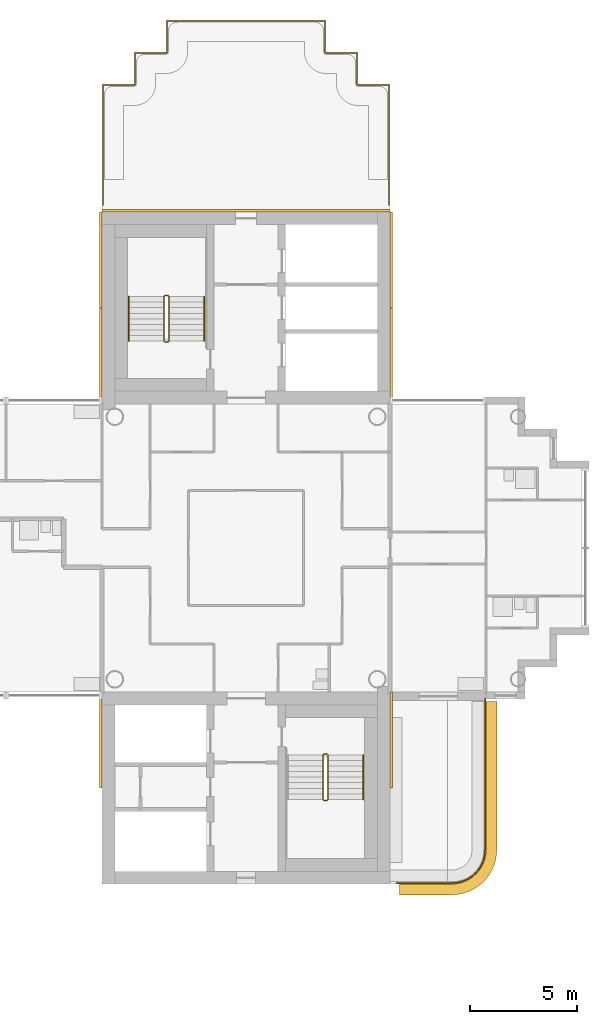
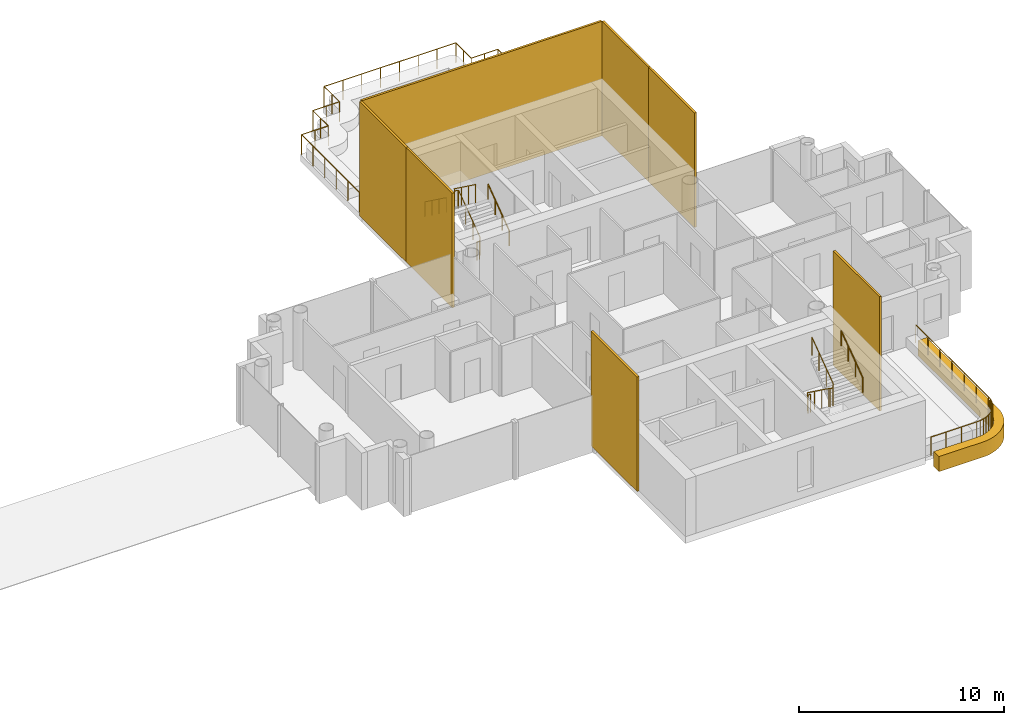
# One storey, part 18 of 19: 8 coverings, 7 railings.
"""IFC4 building model written with IfcOpenShell, lengths in metres."""

from ifc_helpers import new_model, si_unit, direction, frame, origin, origin_2d, place, context, subcontext, project, spatial, polyline, rectangle, circle, outline, extrude, material, layer, layer_set, type_object, element, save


model = new_model("IFC4")

# Units and contexts
model_context = context("Model", 3, precision=1e-05, world=origin(), true_north=direction((0.0, 1.0)))
body_context = subcontext(model_context, "Body", "Model", "MODEL_VIEW")
ifc_project = project(units=[si_unit("LENGTHUNIT", "METRE"), si_unit("AREAUNIT", "SQUARE_METRE"), si_unit("VOLUMEUNIT", "CUBIC_METRE"), si_unit("PLANEANGLEUNIT", "RADIAN"), si_unit("MASSUNIT", "GRAM", prefix="KILO")], contexts=[model_context])

# Site, building, storey
site_placement = place(None, origin())
site = spatial("IfcSite", under=ifc_project, at=site_placement, CompositionType="ELEMENT")
building_placement = place(site_placement, origin())
building = spatial("IfcBuilding", under=site, at=building_placement, Name="Ipe Terrace Towers", CompositionType="ELEMENT")
storey_placement = place(building_placement, frame((0.0, 0.0, 185.800048828125)))
storey = spatial("IfcBuildingStorey", under=building, at=storey_placement, Name="L51", CompositionType="ELEMENT", Elevation=185.800048828125)

# Railings
ifc_material_1 = material(Name="Stainless steel S316", Category="steel")
railing_type_1 = type_object("IfcRailingType", Name="GUARD 1100", PredefinedType="BALUSTRADE", material=ifc_material_1)
railing_1_placement = place(storey_placement, frame((43.070068359375, -15.699951171875, -0.02001953125)))
element("IfcRailing", 1, at=railing_1_placement, inside=storey, type_object=railing_type_1, Name="guard", PredefinedType="BALUSTRADE", context=body_context, shape_type="SweptSolid", body=[
    extrude(circle(Radius=0.02392578125, at=origin_2d()), frame((0.0, 0.0, 1.076171875), z_axis=(1.0, 0.0, 0.0), x_axis=(0.0, 1.0, 0.0)), (0.0, 0.0, 1.0), 2.577880859375),
    extrude(circle(Radius=0.02392578125, at=origin_2d()), frame((2.577880859375, 0.0, 1.076171875), z_axis=(0.997996439513, 0.063270109204, 0.0), x_axis=(-0.063270109204, 0.997996439513, 0.0)), (0.0, 0.0, 1.0), 0.20458984375),
    extrude(circle(Radius=0.02392578125, at=origin_2d()), frame((2.781982421875, 0.012939453125, 1.076171875), z_axis=(0.980348670139, 0.197272615832, 0.0), x_axis=(-0.197272615832, 0.980348670139, 0.0)), (0.0, 0.0, 1.0), 0.202880859375),
    extrude(circle(Radius=0.02392578125, at=origin_2d()), frame((2.98095703125, 0.052978515625, 1.076171875), z_axis=(0.947227229435, 0.320562904618, 0.0), x_axis=(-0.320562904618, 0.947227229435, 0.0)), (0.0, 0.0, 1.0), 0.20263671875),
    extrude(circle(Radius=0.02392578125, at=origin_2d()), frame((3.1728515625, 0.117919921875, 1.076171875), z_axis=(0.896341374877, 0.443364567466, 0.0), x_axis=(-0.443364567466, 0.896341374877, 0.0)), (0.0, 0.0, 1.0), 0.203125),
    extrude(circle(Radius=0.02392578125, at=origin_2d()), frame((3.35498046875, 0.2080078125, 1.076171875), z_axis=(0.833344910936, 0.552753344103, 0.0), x_axis=(-0.552753344103, 0.833344910936, 0.0)), (0.0, 0.0, 1.0), 0.20263671875),
    extrude(circle(Radius=0.02392578125, at=origin_2d()), frame((3.52392578125, 0.320068359375, 1.076171875), z_axis=(0.750856952854, 0.660464863827, 0.0), x_axis=(-0.660464863827, 0.750856952854, 0.0)), (0.0, 0.0, 1.0), 0.20263671875),
    extrude(circle(Radius=0.02392578125, at=origin_2d()), frame((3.676025390625, 0.453857421875, 1.076171875), z_axis=(0.660464863827, 0.750856952854, 0.0), x_axis=(-0.750856952854, 0.660464863827, 0.0)), (0.0, 0.0, 1.0), 0.20263671875),
    extrude(circle(Radius=0.02392578125, at=origin_2d()), frame((3.809814453125, 0.60595703125, 1.076171875), z_axis=(0.552753344103, 0.833344910936, 0.0), x_axis=(-0.833344910936, 0.552753344103, 0.0)), (0.0, 0.0, 1.0), 0.20263671875),
    extrude(circle(Radius=0.02392578125, at=origin_2d()), frame((3.921875, 0.77490234375, 1.076171875), z_axis=(0.443364567466, 0.896341374877, 0.0), x_axis=(-0.896341374877, 0.443364567466, 0.0)), (0.0, 0.0, 1.0), 0.203125),
    extrude(circle(Radius=0.02392578125, at=origin_2d()), frame((4.011962890625, 0.95703125, 1.076171875), z_axis=(0.320562904618, 0.947227229435, 0.0), x_axis=(-0.947227229435, 0.320562904618, 0.0)), (0.0, 0.0, 1.0), 0.20263671875),
    extrude(circle(Radius=0.02392578125, at=origin_2d()), frame((4.076904296875, 1.14892578125, 1.076171875), z_axis=(0.197272615832, 0.980348670139, 0.0), x_axis=(-0.980348670139, 0.197272615832, 0.0)), (0.0, 0.0, 1.0), 0.202880859375),
    extrude(circle(Radius=0.02392578125, at=origin_2d()), frame((4.116943359375, 1.347900390625, 1.076171875), z_axis=(0.063270109204, 0.997996439513, 0.0), x_axis=(-0.997996439513, 0.063270109204, 0.0)), (0.0, 0.0, 1.0), 0.20458984375),
    extrude(circle(Radius=0.02392578125, at=origin_2d()), frame((4.1298828125, 1.552001953125, 1.076171875), z_axis=(0.0, 1.0, 0.0), x_axis=(-1.0, 0.0, 0.0)), (0.0, 0.0, 1.0), 7.077880859375),
    extrude(circle(Radius=0.02099609375, at=origin_2d()), origin(), (0.0, 0.0, 1.0), 1.052001953125),
    extrude(circle(Radius=0.02099609375, at=origin_2d()), frame((0.859375, 0.0, 0.0)), (0.0, 0.0, 1.0), 1.052001953125),
    extrude(circle(Radius=0.02099609375, at=origin_2d()), frame((1.718505859375, 0.0, 0.0)), (0.0, 0.0, 1.0), 1.052001953125),
    extrude(circle(Radius=0.02099609375, at=origin_2d()), frame((2.577880859375, 0.0, 0.0)), (0.0, 0.0, 1.0), 1.052001953125),
    extrude(circle(Radius=0.02099609375, at=origin_2d()), frame((2.781982421875, 0.012939453125, 0.0)), (0.0, 0.0, 1.0), 1.052001953125),
    extrude(circle(Radius=0.02099609375, at=origin_2d()), frame((2.98095703125, 0.052978515625, 0.0)), (0.0, 0.0, 1.0), 1.052001953125),
    extrude(circle(Radius=0.02099609375, at=origin_2d()), frame((3.1728515625, 0.117919921875, 0.0)), (0.0, 0.0, 1.0), 1.052001953125),
    extrude(circle(Radius=0.02099609375, at=origin_2d()), frame((3.35498046875, 0.2080078125, 0.0)), (0.0, 0.0, 1.0), 1.052001953125),
    extrude(circle(Radius=0.02099609375, at=origin_2d()), frame((3.52392578125, 0.320068359375, 0.0)), (0.0, 0.0, 1.0), 1.052001953125),
    extrude(circle(Radius=0.02099609375, at=origin_2d()), frame((3.676025390625, 0.453857421875, 0.0)), (0.0, 0.0, 1.0), 1.052001953125),
    extrude(circle(Radius=0.02099609375, at=origin_2d()), frame((3.809814453125, 0.60595703125, 0.0)), (0.0, 0.0, 1.0), 1.052001953125),
    extrude(circle(Radius=0.02099609375, at=origin_2d()), frame((3.921875, 0.77490234375, 0.0)), (0.0, 0.0, 1.0), 1.052001953125),
    extrude(circle(Radius=0.02099609375, at=origin_2d()), frame((4.011962890625, 0.95703125, 0.0)), (0.0, 0.0, 1.0), 1.052001953125),
    extrude(circle(Radius=0.02099609375, at=origin_2d()), frame((4.076904296875, 1.14892578125, 0.0)), (0.0, 0.0, 1.0), 1.052001953125),
    extrude(circle(Radius=0.02099609375, at=origin_2d()), frame((4.116943359375, 1.347900390625, 0.0)), (0.0, 0.0, 1.0), 1.052001953125),
    extrude(circle(Radius=0.02099609375, at=origin_2d()), frame((4.1298828125, 1.552001953125, 0.0)), (0.0, 0.0, 1.0), 1.052001953125),
    extrude(circle(Radius=0.02099609375, at=origin_2d()), frame((4.1298828125, 2.731689453125, 0.0)), (0.0, 0.0, 1.0), 1.052001953125),
    extrude(circle(Radius=0.02099609375, at=origin_2d()), frame((4.1298828125, 3.911376953125, 0.0)), (0.0, 0.0, 1.0), 1.052001953125),
    extrude(circle(Radius=0.02099609375, at=origin_2d()), frame((4.1298828125, 5.0908203125, 0.0)), (0.0, 0.0, 1.0), 1.052001953125),
    extrude(circle(Radius=0.02099609375, at=origin_2d()), frame((4.1298828125, 6.2705078125, 0.0)), (0.0, 0.0, 1.0), 1.052001953125),
    extrude(circle(Radius=0.02099609375, at=origin_2d()), frame((4.1298828125, 7.4501953125, 0.0)), (0.0, 0.0, 1.0), 1.052001953125),
    extrude(circle(Radius=0.02099609375, at=origin_2d()), frame((4.1298828125, 8.6298828125, 0.0)), (0.0, 0.0, 1.0), 1.052001953125),
])
ifc_material_2 = material(Name="Stainless steel S316", Category="steel")
railing_type_2 = type_object("IfcRailingType", Name="ROOF GUARD 1200", PredefinedType="BALUSTRADE", material=ifc_material_2)
railing_2_placement = place(storey_placement, frame((42.699951171875, 16.070068359375, -0.02001953125)))
element("IfcRailing", 2, at=railing_2_placement, inside=storey, type_object=railing_type_2, Name="roof guard", PredefinedType="BALUSTRADE", context=body_context, shape_type="SweptSolid", body=[
    extrude(circle(Radius=0.02392578125, at=origin_2d()), frame((0.0, 0.0, 1.17578125), z_axis=(0.0, 1.0, 0.0), x_axis=(-1.0, 0.0, 0.0)), (0.0, 0.0, 1.0), 5.6298828125),
    extrude(circle(Radius=0.02392578125, at=origin_2d()), frame((0.0, 5.6298828125, 1.17578125), z_axis=(-1.0, 0.0, 0.0), x_axis=(0.0, -1.0, 0.0)), (0.0, 0.0, 1.0), 1.5),
    extrude(circle(Radius=0.02392578125, at=origin_2d()), frame((-1.5, 5.6298828125, 1.17578125), z_axis=(0.0, 1.0, 0.0), x_axis=(-1.0, 0.0, 0.0)), (0.0, 0.0, 1.0), 1.5),
    extrude(circle(Radius=0.02392578125, at=origin_2d()), frame((-1.5, 7.1298828125, 1.17578125), z_axis=(-1.0, 0.0, 0.0), x_axis=(0.0, -1.0, 0.0)), (0.0, 0.0, 1.0), 1.5),
    extrude(circle(Radius=0.02392578125, at=origin_2d()), frame((-3.0, 7.1298828125, 1.17578125), z_axis=(0.0, 1.0, 0.0), x_axis=(-1.0, 0.0, 0.0)), (0.0, 0.0, 1.0), 1.5),
    extrude(circle(Radius=0.02392578125, at=origin_2d()), frame((-3.0, 8.6298828125, 1.17578125), z_axis=(-1.0, 0.0, 0.0), x_axis=(0.0, -1.0, 0.0)), (0.0, 0.0, 1.0), 7.39990234375),
    extrude(circle(Radius=0.02392578125, at=origin_2d()), frame((-10.39990234375, 8.6298828125, 1.17578125), z_axis=(0.0, -1.0, 0.0), x_axis=(1.0, 0.0, 0.0)), (0.0, 0.0, 1.0), 1.5),
    extrude(circle(Radius=0.02392578125, at=origin_2d()), frame((-10.39990234375, 7.1298828125, 1.17578125), z_axis=(-1.0, 0.0, 0.0), x_axis=(0.0, -1.0, 0.0)), (0.0, 0.0, 1.0), 1.5),
    extrude(circle(Radius=0.02392578125, at=origin_2d()), frame((-11.89990234375, 7.1298828125, 1.17578125), z_axis=(0.0, -1.0, 0.0), x_axis=(1.0, 0.0, 0.0)), (0.0, 0.0, 1.0), 1.5),
    extrude(circle(Radius=0.02392578125, at=origin_2d()), frame((-11.89990234375, 5.6298828125, 1.17578125), z_axis=(-1.0, 0.0, 0.0), x_axis=(0.0, -1.0, 0.0)), (0.0, 0.0, 1.0), 1.5),
    extrude(circle(Radius=0.02392578125, at=origin_2d()), frame((-13.39990234375, 5.6298828125, 1.17578125), z_axis=(0.0, -1.0, 0.0), x_axis=(1.0, 0.0, 0.0)), (0.0, 0.0, 1.0), 5.6298828125),
    extrude(circle(Radius=0.02099609375, at=origin_2d()), origin(), (0.0, 0.0, 1.0), 1.15185546875),
    extrude(circle(Radius=0.02099609375, at=origin_2d()), frame((0.0, 1.1259765625, 0.0)), (0.0, 0.0, 1.0), 1.15185546875),
    extrude(circle(Radius=0.02099609375, at=origin_2d()), frame((0.0, 2.251953125, 0.0)), (0.0, 0.0, 1.0), 1.15185546875),
    extrude(circle(Radius=0.02099609375, at=origin_2d()), frame((0.0, 3.3779296875, 0.0)), (0.0, 0.0, 1.0), 1.15185546875),
    extrude(circle(Radius=0.02099609375, at=origin_2d()), frame((0.0, 4.50390625, 0.0)), (0.0, 0.0, 1.0), 1.15185546875),
    extrude(circle(Radius=0.02099609375, at=origin_2d()), frame((0.0, 5.6298828125, 0.0)), (0.0, 0.0, 1.0), 1.15185546875),
    extrude(circle(Radius=0.02099609375, at=origin_2d()), frame((-0.75, 5.6298828125, 0.0)), (0.0, 0.0, 1.0), 1.15185546875),
    extrude(circle(Radius=0.02099609375, at=origin_2d()), frame((-1.5, 5.6298828125, 0.0)), (0.0, 0.0, 1.0), 1.15185546875),
    extrude(circle(Radius=0.02099609375, at=origin_2d()), frame((-1.5, 6.3798828125, 0.0)), (0.0, 0.0, 1.0), 1.15185546875),
    extrude(circle(Radius=0.02099609375, at=origin_2d()), frame((-1.5, 7.1298828125, 0.0)), (0.0, 0.0, 1.0), 1.15185546875),
    extrude(circle(Radius=0.02099609375, at=origin_2d()), frame((-2.25, 7.1298828125, 0.0)), (0.0, 0.0, 1.0), 1.15185546875),
    extrude(circle(Radius=0.02099609375, at=origin_2d()), frame((-3.0, 7.1298828125, 0.0)), (0.0, 0.0, 1.0), 1.15185546875),
    extrude(circle(Radius=0.02099609375, at=origin_2d()), frame((-3.0, 7.8798828125, 0.0)), (0.0, 0.0, 1.0), 1.15185546875),
    extrude(circle(Radius=0.02099609375, at=origin_2d()), frame((-3.0, 8.6298828125, 0.0)), (0.0, 0.0, 1.0), 1.15185546875),
    extrude(circle(Radius=0.02099609375, at=origin_2d()), frame((-4.05712890625, 8.6298828125, 0.0)), (0.0, 0.0, 1.0), 1.15185546875),
    extrude(circle(Radius=0.02099609375, at=origin_2d()), frame((-5.1142578125, 8.6298828125, 0.0)), (0.0, 0.0, 1.0), 1.15185546875),
    extrude(circle(Radius=0.02099609375, at=origin_2d()), frame((-6.17138671875, 8.6298828125, 0.0)), (0.0, 0.0, 1.0), 1.15185546875),
    extrude(circle(Radius=0.02099609375, at=origin_2d()), frame((-7.228515625, 8.6298828125, 0.0)), (0.0, 0.0, 1.0), 1.15185546875),
    extrude(circle(Radius=0.02099609375, at=origin_2d()), frame((-8.28564453125, 8.6298828125, 0.0)), (0.0, 0.0, 1.0), 1.15185546875),
    extrude(circle(Radius=0.02099609375, at=origin_2d()), frame((-9.3427734375, 8.6298828125, 0.0)), (0.0, 0.0, 1.0), 1.15185546875),
    extrude(circle(Radius=0.02099609375, at=origin_2d()), frame((-10.39990234375, 8.6298828125, 0.0)), (0.0, 0.0, 1.0), 1.15185546875),
    extrude(circle(Radius=0.02099609375, at=origin_2d()), frame((-10.39990234375, 7.8798828125, 0.0)), (0.0, 0.0, 1.0), 1.15185546875),
    extrude(circle(Radius=0.02099609375, at=origin_2d()), frame((-10.39990234375, 7.1298828125, 0.0)), (0.0, 0.0, 1.0), 1.15185546875),
    extrude(circle(Radius=0.02099609375, at=origin_2d()), frame((-11.14990234375, 7.1298828125, 0.0)), (0.0, 0.0, 1.0), 1.15185546875),
    extrude(circle(Radius=0.02099609375, at=origin_2d()), frame((-11.89990234375, 7.1298828125, 0.0)), (0.0, 0.0, 1.0), 1.15185546875),
    extrude(circle(Radius=0.02099609375, at=origin_2d()), frame((-11.89990234375, 6.3798828125, 0.0)), (0.0, 0.0, 1.0), 1.15185546875),
    extrude(circle(Radius=0.02099609375, at=origin_2d()), frame((-11.89990234375, 5.6298828125, 0.0)), (0.0, 0.0, 1.0), 1.15185546875),
    extrude(circle(Radius=0.02099609375, at=origin_2d()), frame((-12.64990234375, 5.6298828125, 0.0)), (0.0, 0.0, 1.0), 1.15185546875),
    extrude(circle(Radius=0.02099609375, at=origin_2d()), frame((-13.39990234375, 5.6298828125, 0.0)), (0.0, 0.0, 1.0), 1.15185546875),
    extrude(circle(Radius=0.02099609375, at=origin_2d()), frame((-13.39990234375, 4.50390625, 0.0)), (0.0, 0.0, 1.0), 1.15185546875),
    extrude(circle(Radius=0.02099609375, at=origin_2d()), frame((-13.39990234375, 3.3779296875, 0.0)), (0.0, 0.0, 1.0), 1.15185546875),
    extrude(circle(Radius=0.02099609375, at=origin_2d()), frame((-13.39990234375, 2.251953125, 0.0)), (0.0, 0.0, 1.0), 1.15185546875),
    extrude(circle(Radius=0.02099609375, at=origin_2d()), frame((-13.39990234375, 1.1259765625, 0.0)), (0.0, 0.0, 1.0), 1.15185546875),
    extrude(circle(Radius=0.02099609375, at=origin_2d()), frame((-13.39990234375, 0.0, 0.0)), (0.0, 0.0, 1.0), 1.15185546875),
])

# Coverings
ifc_material_3 = material(Name="Concrete C50/60 precast, buff finish", Category="concrete")
ifc_layer_1 = layer(ifc_material_3, 0.1201171875)
ifc_layer_set_1 = layer_set([ifc_layer_1], Name="STONE CORE CLADDING 120")
covering_type_1 = type_object("IfcCoveringType", Name="STONE CORE CLADDING 120", PredefinedType="CLADDING", material=ifc_layer_set_1)
for number, where, z_axis, x_axis, name in (
    (3, (29.18994140625, -9.0, 0.0), (0.0, 0.0, 1.0), (0.0, -1.0, 0.0), "stone core cladding"),
    (4, (29.18994140625, 9.0, 0.0), (0.0, 0.0, 1.0), (0.0, -1.0, 0.0), "stone core cladding"),
    (5, (29.18994140625, 13.5, 0.0), (0.0, 0.0, 1.0), (0.0, -1.0, 0.0), "stone core cladding"),
    (6, (42.81005859375, -9.0, 0.0), (0.0, 0.0, 1.0), (0.0, 1.0, 0.0), "stone core cladding"),
    (7, (42.81005859375, 9.0, 0.0), (0.0, 0.0, 1.0), (0.0, 1.0, 0.0), "stone core cladding"),
    (8, (42.81005859375, 13.5, 0.0), (0.0, 0.0, 1.0), (0.0, 1.0, 0.0), "stone core cladding"),
):
    element("IfcCovering", number, at=place(storey_placement, frame(where, z_axis=z_axis, x_axis=x_axis)), inside=storey, type_object=covering_type_1, Name=name, PredefinedType="CLADDING", context=body_context, shape_type="SweptSolid", body=[
        extrude(rectangle(XDim=4.5, YDim=0.1201171875, at=origin_2d()), origin(), (0.0, 0.0, 1.0), 6.800048828125),
    ])
covering_1_placement = place(storey_placement, frame((36.0, 15.81005859375, 0.0), z_axis=(0.0, 0.0, 1.0), x_axis=(-1.0, 0.0, 0.0)))
element("IfcCovering", 9, at=covering_1_placement, inside=storey, type_object=covering_type_1, Name="stone core cladding", PredefinedType="CLADDING", context=body_context, shape_type="SweptSolid", body=[
    extrude(rectangle(XDim=13.5, YDim=0.1201171875, at=origin_2d()), origin(), (0.0, 0.0, 1.0), 6.800048828125),
])
ifc_material_4 = material(Name="Concrete C50/60 precast, buff finish", Category="concrete")
ifc_layer_2 = layer(ifc_material_4, 0.5)
ifc_layer_set_2 = layer_set([ifc_layer_2], Name="STONE EDGE BAND 500 x 900")
covering_type_2 = type_object("IfcCoveringType", Name="STONE EDGE BAND 500 x 900", PredefinedType="CLADDING", material=ifc_layer_set_2)
covering_2_placement = place(storey_placement, frame((0.0, 0.0, -0.719970703125)))
element("IfcCovering", 10, at=covering_2_placement, inside=storey, type_object=covering_type_2, Name="stone edge band", PredefinedType="CLADDING", context=body_context, shape_type="SweptSolid", body=[
    extrude(outline(polyline([(47.75, -14.14990234375), (47.75, -7.199951171875), (47.25, -7.199951171875), (47.25, -14.14990234375), (47.236083984375, -14.35888671875), (47.195068359375, -14.56396484375), (47.1279296875, -14.761962890625), (47.035888671875, -14.949951171875), (46.9189453125, -15.1240234375), (46.781005859375, -15.281005859375), (46.6240234375, -15.4189453125), (46.449951171875, -15.535888671875), (46.261962890625, -15.6279296875), (46.06396484375, -15.695068359375), (45.85888671875, -15.736083984375), (45.64990234375, -15.75), (43.199951171875, -15.75), (43.199951171875, -16.25), (45.64990234375, -16.25), (45.68310546875, -16.2490234375), (45.89208984375, -16.235107421875), (45.9560546875, -16.22705078125), (46.162109375, -16.18603515625), (46.22509765625, -16.1689453125), (46.423095703125, -16.10205078125), (46.48291015625, -16.076904296875), (46.6708984375, -15.98388671875), (46.72802734375, -15.950927734375), (46.902099609375, -15.8349609375), (46.9541015625, -15.794921875), (47.111083984375, -15.656982421875), (47.156982421875, -15.611083984375), (47.294921875, -15.4541015625), (47.3349609375, -15.402099609375), (47.450927734375, -15.22802734375), (47.48388671875, -15.1708984375), (47.576904296875, -14.98291015625), (47.60205078125, -14.923095703125), (47.6689453125, -14.72509765625), (47.68603515625, -14.662109375), (47.72705078125, -14.4560546875), (47.735107421875, -14.39208984375), (47.7490234375, -14.18310546875), (47.75, -14.14990234375)])), origin(), (0.0, 0.0, 1.0), 0.89990234375),
])

# Railings
ifc_material_5 = material(Name="Steel S355", Category="steel")
railing_type_3 = type_object("IfcRailingType", Name="Stair guard 1100", PredefinedType="GUARDRAIL", material=ifc_material_5)
railing_3_placement = place(storey_placement, frame((32.199951171875, 9.64990234375, 0.0)))
element("IfcRailing", 11, at=railing_3_placement, inside=storey, type_object=railing_type_3, Name="L51 T2-ST1 stair guard 1", PredefinedType="GUARDRAIL", context=body_context, shape_type="SweptSolid", body=[
    extrude(circle(Radius=0.02392578125, at=origin_2d()), frame((0.0, 0.0, 1.076171875), z_axis=(1.0, 0.0, 0.0), x_axis=(0.0, 1.0, 0.0)), (0.0, 0.0, 1.0), 0.150146484375),
    extrude(circle(Radius=0.02392578125, at=origin_2d()), frame((0.150146484375, 0.0, 1.076171875), z_axis=(0.247173786771, 0.248385422981, 0.936594790069), x_axis=(-0.708833529934, 0.705375805398, 0.0)), (0.0, 0.0, 1.0), 0.201416015625),
    extrude(circle(Radius=0.02392578125, at=origin_2d()), frame((0.199951171875, 0.050048828125, 1.2646484375), z_axis=(0.0, 0.809023421508, 0.587776406001), x_axis=(-1.0, 0.0, 0.0)), (0.0, 0.0, 1.0), 2.571044921875),
    extrude(circle(Radius=0.02392578125, at=origin_2d()), frame((0.199951171875, 2.130126953125, 2.77587890625), z_axis=(-0.705375805398, 0.708833529934, 0.0), x_axis=(-0.708833529934, -0.705375805398, 0.0)), (0.0, 0.0, 1.0), 0.070556640625),
    extrude(circle(Radius=0.02392578125, at=origin_2d()), frame((0.150146484375, 2.18017578125, 2.77587890625), z_axis=(-1.0, 0.0, 0.0), x_axis=(0.0, -1.0, 0.0)), (0.0, 0.0, 1.0), 0.150146484375),
    extrude(circle(Radius=0.02392578125, at=origin_2d()), frame((0.0, 2.18017578125, 2.77587890625), z_axis=(-0.248029566107, -0.248029566107, 0.936462849596), x_axis=(0.707106781187, -0.707106781187, 0.0)), (0.0, 0.0, 1.0), 0.201904296875),
    extrude(circle(Radius=0.02392578125, at=origin_2d()), frame((-0.050048828125, 2.130126953125, 2.96484375), z_axis=(0.0, -0.809068575486, 0.587714250432), x_axis=(1.0, 0.0, 0.0)), (0.0, 0.0, 1.0), 2.571044921875),
    extrude(circle(Radius=0.02099609375, at=origin_2d()), origin(), (0.0, 0.0, 1.0), 1.052001953125),
    extrude(circle(Radius=0.02099609375, at=origin_2d()), frame((0.150146484375, 0.0, 0.0)), (0.0, 0.0, 1.0), 1.052001953125),
    extrude(circle(Radius=0.02099609375, at=origin_2d()), frame((0.199951171875, 0.050048828125, 0.188720703125)), (0.0, 0.0, 1.0), 1.052001953125),
    extrude(circle(Radius=0.02099609375, at=origin_2d()), frame((0.199951171875, 0.743408203125, 0.6923828125)), (0.0, 0.0, 1.0), 1.052001953125),
    extrude(circle(Radius=0.02099609375, at=origin_2d()), frame((0.199951171875, 1.436767578125, 1.1962890625)), (0.0, 0.0, 1.0), 1.052001953125),
    extrude(circle(Radius=0.02099609375, at=origin_2d()), frame((0.199951171875, 2.130126953125, 1.699951171875)), (0.0, 0.0, 1.0), 1.052001953125),
    extrude(circle(Radius=0.02099609375, at=origin_2d()), frame((0.150146484375, 2.18017578125, 1.699951171875)), (0.0, 0.0, 1.0), 1.052001953125),
    extrude(circle(Radius=0.02099609375, at=origin_2d()), frame((0.0, 2.18017578125, 1.699951171875)), (0.0, 0.0, 1.0), 1.052001953125),
    extrude(circle(Radius=0.02099609375, at=origin_2d()), frame((-0.050048828125, 2.130126953125, 1.888916015625)), (0.0, 0.0, 1.0), 1.052001953125),
    extrude(circle(Radius=0.02099609375, at=origin_2d()), frame((-0.050048828125, 1.436767578125, 2.392578125)), (0.0, 0.0, 1.0), 1.052001953125),
    extrude(circle(Radius=0.02099609375, at=origin_2d()), frame((-0.050048828125, 0.743408203125, 2.896240234375)), (0.0, 0.0, 1.0), 1.052001953125),
    extrude(circle(Radius=0.02099609375, at=origin_2d()), frame((-0.050048828125, 0.050048828125, 3.39990234375)), (0.0, 0.0, 1.0), 1.052001953125),
])
railing_4_placement = place(storey_placement, frame((39.800048828125, -9.64990234375, 0.0)))
element("IfcRailing", 12, at=railing_4_placement, inside=storey, type_object=railing_type_3, Name="L51 T2-ST2 stair guard 1", PredefinedType="GUARDRAIL", context=body_context, shape_type="SweptSolid", body=[
    extrude(circle(Radius=0.02392578125, at=origin_2d()), frame((0.0, 0.0, 1.076171875), z_axis=(-1.0, 0.0, 0.0), x_axis=(0.0, -1.0, 0.0)), (0.0, 0.0, 1.0), 0.150146484375),
    extrude(circle(Radius=0.02392578125, at=origin_2d()), frame((-0.150146484375, 0.0, 1.076171875), z_axis=(-0.247173786771, -0.248385422981, 0.936594790069), x_axis=(0.708833529934, -0.705375805398, 0.0)), (0.0, 0.0, 1.0), 0.201416015625),
    extrude(circle(Radius=0.02392578125, at=origin_2d()), frame((-0.199951171875, -0.050048828125, 1.2646484375), z_axis=(0.0, -0.809023421508, 0.587776406001), x_axis=(1.0, 0.0, 0.0)), (0.0, 0.0, 1.0), 2.571044921875),
    extrude(circle(Radius=0.02392578125, at=origin_2d()), frame((-0.199951171875, -2.130126953125, 2.77587890625), z_axis=(0.705375805398, -0.708833529934, 0.0), x_axis=(0.708833529934, 0.705375805398, 0.0)), (0.0, 0.0, 1.0), 0.070556640625),
    extrude(circle(Radius=0.02392578125, at=origin_2d()), frame((-0.150146484375, -2.18017578125, 2.77587890625), z_axis=(1.0, 0.0, 0.0), x_axis=(0.0, 1.0, 0.0)), (0.0, 0.0, 1.0), 0.150146484375),
    extrude(circle(Radius=0.02392578125, at=origin_2d()), frame((0.0, -2.18017578125, 2.77587890625), z_axis=(0.248029566107, 0.248029566107, 0.936462849596), x_axis=(-0.707106781187, 0.707106781187, 0.0)), (0.0, 0.0, 1.0), 0.201904296875),
    extrude(circle(Radius=0.02392578125, at=origin_2d()), frame((0.050048828125, -2.130126953125, 2.96484375), z_axis=(0.0, 0.809068575486, 0.587714250432), x_axis=(-1.0, 0.0, 0.0)), (0.0, 0.0, 1.0), 2.571044921875),
    extrude(circle(Radius=0.02099609375, at=origin_2d()), origin(), (0.0, 0.0, 1.0), 1.052001953125),
    extrude(circle(Radius=0.02099609375, at=origin_2d()), frame((-0.150146484375, 0.0, 0.0)), (0.0, 0.0, 1.0), 1.052001953125),
    extrude(circle(Radius=0.02099609375, at=origin_2d()), frame((-0.199951171875, -0.050048828125, 0.188720703125)), (0.0, 0.0, 1.0), 1.052001953125),
    extrude(circle(Radius=0.02099609375, at=origin_2d()), frame((-0.199951171875, -0.743408203125, 0.6923828125)), (0.0, 0.0, 1.0), 1.052001953125),
    extrude(circle(Radius=0.02099609375, at=origin_2d()), frame((-0.199951171875, -1.436767578125, 1.1962890625)), (0.0, 0.0, 1.0), 1.052001953125),
    extrude(circle(Radius=0.02099609375, at=origin_2d()), frame((-0.199951171875, -2.130126953125, 1.699951171875)), (0.0, 0.0, 1.0), 1.052001953125),
    extrude(circle(Radius=0.02099609375, at=origin_2d()), frame((-0.150146484375, -2.18017578125, 1.699951171875)), (0.0, 0.0, 1.0), 1.052001953125),
    extrude(circle(Radius=0.02099609375, at=origin_2d()), frame((0.0, -2.18017578125, 1.699951171875)), (0.0, 0.0, 1.0), 1.052001953125),
    extrude(circle(Radius=0.02099609375, at=origin_2d()), frame((0.050048828125, -2.130126953125, 1.888916015625)), (0.0, 0.0, 1.0), 1.052001953125),
    extrude(circle(Radius=0.02099609375, at=origin_2d()), frame((0.050048828125, -1.436767578125, 2.392578125)), (0.0, 0.0, 1.0), 1.052001953125),
    extrude(circle(Radius=0.02099609375, at=origin_2d()), frame((0.050048828125, -0.743408203125, 2.896240234375)), (0.0, 0.0, 1.0), 1.052001953125),
    extrude(circle(Radius=0.02099609375, at=origin_2d()), frame((0.050048828125, -0.050048828125, 3.39990234375)), (0.0, 0.0, 1.0), 1.052001953125),
])
ifc_material_6 = material(Name="Stainless steel grade 304", Category="steel")
railing_type_4 = type_object("IfcRailingType", Name="Stair handrail 900", PredefinedType="HANDRAIL", material=ifc_material_6)
railing_5_placement = place(storey_placement, frame((34.050048828125, 9.699951171875, 0.188720703125)))
element("IfcRailing", 13, at=railing_5_placement, inside=storey, type_object=railing_type_4, Name="L51 T2-ST1 stair handrail 1", PredefinedType="HANDRAIL", context=body_context, shape_type="SweptSolid", body=[
    extrude(circle(Radius=0.02392578125, at=origin_2d()), frame((0.0, 0.0, 0.8759765625), z_axis=(0.0, 0.809023421508, 0.587776406001), x_axis=(-1.0, 0.0, 0.0)), (0.0, 0.0, 1.0), 2.571044921875),
    extrude(circle(Radius=0.02099609375, at=origin_2d()), origin(), (0.0, 0.0, 1.0), 0.851806640625),
    extrude(circle(Radius=0.02099609375, at=origin_2d()), frame((0.0, 0.693359375, 0.503662109375)), (0.0, 0.0, 1.0), 0.851806640625),
    extrude(circle(Radius=0.02099609375, at=origin_2d()), frame((0.0, 1.38671875, 1.007568359375)), (0.0, 0.0, 1.0), 0.851806640625),
    extrude(circle(Radius=0.02099609375, at=origin_2d()), frame((0.0, 2.080078125, 1.51123046875)), (0.0, 0.0, 1.0), 0.851806640625),
])
railing_6_placement = place(storey_placement, frame((30.5, 11.780029296875, 1.888916015625)))
element("IfcRailing", 14, at=railing_6_placement, inside=storey, type_object=railing_type_4, Name="L51 T2-ST1 stair handrail 2", PredefinedType="HANDRAIL", context=body_context, shape_type="SweptSolid", body=[
    extrude(circle(Radius=0.02392578125, at=origin_2d()), frame((0.0, 0.0, 0.8759765625), z_axis=(0.0, -0.809068575486, 0.587714250432), x_axis=(1.0, 0.0, 0.0)), (0.0, 0.0, 1.0), 2.571044921875),
    extrude(circle(Radius=0.02099609375, at=origin_2d()), origin(), (0.0, 0.0, 1.0), 0.851806640625),
    extrude(circle(Radius=0.02099609375, at=origin_2d()), frame((0.0, -0.693359375, 0.503662109375)), (0.0, 0.0, 1.0), 0.851806640625),
    extrude(circle(Radius=0.02099609375, at=origin_2d()), frame((0.0, -1.38671875, 1.00732421875)), (0.0, 0.0, 1.0), 0.851806640625),
    extrude(circle(Radius=0.02099609375, at=origin_2d()), frame((0.0, -2.080078125, 1.510986328125)), (0.0, 0.0, 1.0), 0.851806640625),
])
railing_7_placement = place(storey_placement, frame((41.5, -11.780029296875, 1.888916015625)))
element("IfcRailing", 15, at=railing_7_placement, inside=storey, type_object=railing_type_4, Name="L51 T2-ST2 stair handrail 2", PredefinedType="HANDRAIL", context=body_context, shape_type="SweptSolid", body=[
    extrude(circle(Radius=0.02392578125, at=origin_2d()), frame((0.0, 0.0, 0.8759765625), z_axis=(0.0, 0.809068575486, 0.587714250432), x_axis=(-1.0, 0.0, 0.0)), (0.0, 0.0, 1.0), 2.571044921875),
    extrude(circle(Radius=0.02099609375, at=origin_2d()), origin(), (0.0, 0.0, 1.0), 0.851806640625),
    extrude(circle(Radius=0.02099609375, at=origin_2d()), frame((0.0, 0.693359375, 0.503662109375)), (0.0, 0.0, 1.0), 0.851806640625),
    extrude(circle(Radius=0.02099609375, at=origin_2d()), frame((0.0, 1.38671875, 1.00732421875)), (0.0, 0.0, 1.0), 0.851806640625),
    extrude(circle(Radius=0.02099609375, at=origin_2d()), frame((0.0, 2.080078125, 1.510986328125)), (0.0, 0.0, 1.0), 0.851806640625),
])

save(model, "model.ifc")
